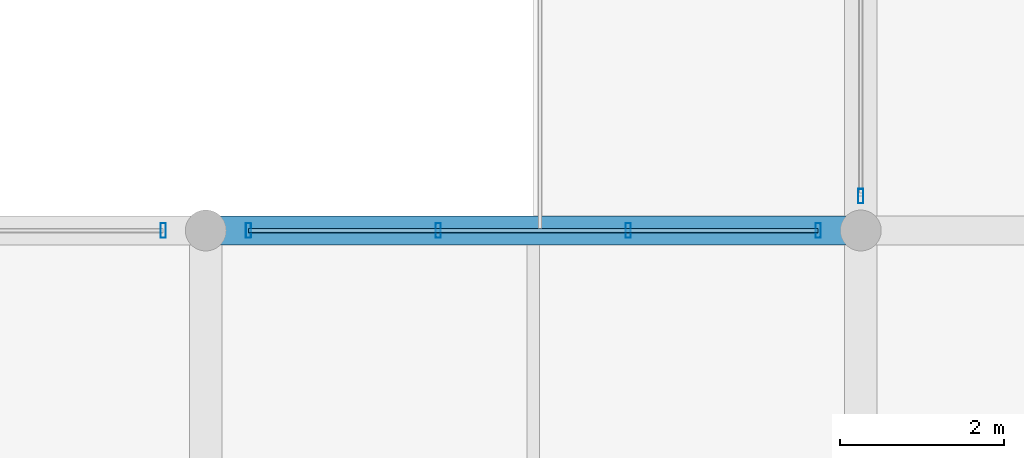
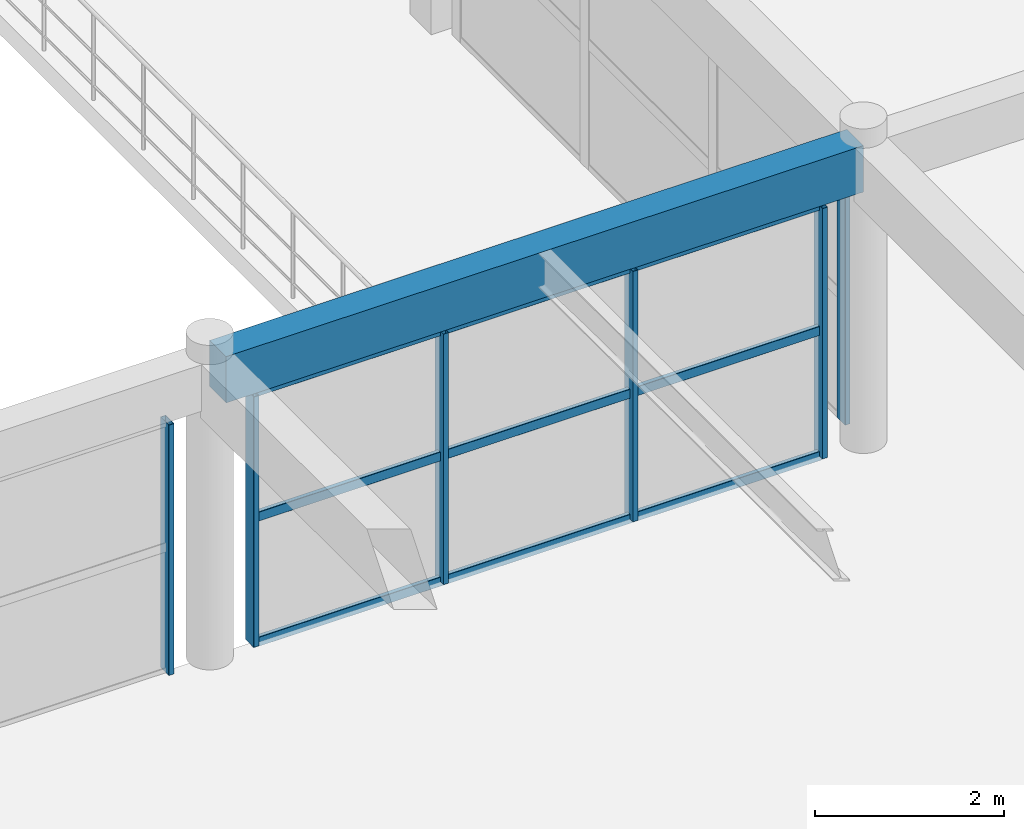
# One storey, part 50 of 126: 9 members, 1 beam, 3 elements without a shape of their own.
"""IFC4 building model written with IfcOpenShell, lengths in metres."""

from ifc_helpers import new_model, si_unit, direction, frame, origin, origin_2d, place, context, subcontext, project, spatial, rectangle, hollow_rectangle, extrude, material, material_profile, profile_set, type_object, element, aggregate, save


model = new_model("IFC4")

# Units and contexts
model_context = context("Model", 3, precision=1e-05, world=origin(), true_north=direction((0.0, 1.0)))
body_context = subcontext(model_context, "Body", "Model", "MODEL_VIEW")
ifc_project = project(units=[si_unit("LENGTHUNIT", "METRE"), si_unit("AREAUNIT", "SQUARE_METRE"), si_unit("VOLUMEUNIT", "CUBIC_METRE"), si_unit("PLANEANGLEUNIT", "RADIAN"), si_unit("MASSUNIT", "GRAM", prefix="KILO")], contexts=[model_context])

# Site, building, storey
site_placement = place(None, origin())
site = spatial("IfcSite", under=ifc_project, at=site_placement, CompositionType="ELEMENT")
building_placement = place(site_placement, origin())
building = spatial("IfcBuilding", under=site, at=building_placement, Name="Varnabhumi Central Station", CompositionType="ELEMENT")
storey_placement = place(building_placement, frame((0.0, 0.0, 16.199951171875)))
storey = spatial("IfcBuildingStorey", under=building, at=storey_placement, Name="L03", CompositionType="ELEMENT", Elevation=16.199951171875)

# Beam
ifc_material_1 = material(Name="Concrete M40", Category="concrete")
ifc_material_profile_1 = material_profile(ifc_material_1, rectangle(XDim=0.35009765625, YDim=0.60009765625, at=origin_2d()), Name="Concrete M40", Category="concrete")
ifc_profile_set_1 = profile_set([ifc_material_profile_1], Name="Concrete M40")
beam_type = type_object("IfcBeamType", Name="BM-RC-350x600", PredefinedType="BEAM", material=ifc_profile_set_1)
beam_placement = place(storey_placement, frame((72.10009765625, 89.0, 3.650146484375), z_axis=(1.0, 0.0, 0.0), x_axis=(0.0, 1.0, 0.0)))
element("IfcBeam", 1, at=beam_placement, inside=storey, type_object=beam_type, Name="Beam L03-L:10-11", PredefinedType="BEAM", context=body_context, shape_type="SweptSolid", body=[
    extrude(rectangle(XDim=0.35009765625, YDim=0.60009765625, at=origin_2d()), origin(), (0.0, 0.0, 1.0), 7.7998046875),
])

# Curtain wall, member
ifc_material_2 = material(Name="Anodised aluminium 6063-T6", Category="aluminium")
curtain_wall_type = type_object("IfcCurtainWallType", Name="CW-PATIO-LOGGIA-L3", PredefinedType="NOTDEFINED", material=ifc_material_2)
curtain_wall_1_placement = place(storey_placement, origin())
curtain_wall_1 = element("IfcCurtainWall", 2, at=curtain_wall_1_placement, inside=storey, type_object=curtain_wall_type, Name="Curtain Wall CW-NP3W1", PredefinedType="NOTDEFINED")
ifc_material_profile_2 = material_profile(ifc_material_2, hollow_rectangle(XDim=0.06494140625, YDim=0.179931640625, WallThickness=0.00390625, InnerFilletRadius=0.001953125, OuterFilletRadius=0.006103515625, at=origin_2d()), Name="Anodised aluminium 6063-T6", Category="aluminium")
ifc_profile_set_2 = profile_set([ifc_material_profile_2], Name="Anodised aluminium 6063-T6")
member_type_1 = type_object("IfcMemberType", Name="CW-MUL-180", PredefinedType="MULLION", material=ifc_profile_set_2)
member_1_placement = place(storey_placement, frame((80.0, 89.419921875, 0.0), z_axis=(0.0, 0.0, 1.0), x_axis=(1.0, 0.0, 0.0)))
member_1 = element("IfcMember", 3, at=member_1_placement, type_object=member_type_1, Name="Curtain Wall Mullion CW-NP3W1-M1", PredefinedType="MULLION", context=body_context, shape_type="SweptSolid", body=[
    extrude(hollow_rectangle(XDim=0.06494140625, YDim=0.179931640625, WallThickness=0.00390625, InnerFilletRadius=0.001953125, OuterFilletRadius=0.006103515625, at=origin_2d()), origin(), (0.0, 0.0, 1.0), 3.239990234375),
])
aggregate(curtain_wall_1, [member_1])

curtain_wall_2_placement = place(storey_placement, origin())
curtain_wall_2 = element("IfcCurtainWall", 4, at=curtain_wall_2_placement, inside=storey, type_object=curtain_wall_type, Name="Curtain Wall CW-NP3S3", PredefinedType="NOTDEFINED")
member_2_placement = place(storey_placement, frame((71.47998046875, 89.0, 0.0), z_axis=(0.0, 0.0, 1.0), x_axis=(1.0, 0.0, 0.0)))
member_2 = element("IfcMember", 5, at=member_2_placement, type_object=member_type_1, Name="Curtain Wall Mullion CW-NP3S3-M4", PredefinedType="MULLION", context=body_context, shape_type="SweptSolid", body=[
    extrude(hollow_rectangle(XDim=0.06494140625, YDim=0.179931640625, WallThickness=0.00390625, InnerFilletRadius=0.001953125, OuterFilletRadius=0.006103515625, at=origin_2d()), origin(), (0.0, 0.0, 1.0), 3.239990234375),
])
aggregate(curtain_wall_2, [member_2])

# Curtain wall, members
curtain_wall_3_placement = place(storey_placement, origin())
curtain_wall_3 = element("IfcCurtainWall", 6, at=curtain_wall_3_placement, inside=storey, type_object=curtain_wall_type, Name="Curtain Wall CW-NP3S4", PredefinedType="NOTDEFINED")
member_3_placement = place(storey_placement, frame((72.52001953125, 89.0, 0.0), z_axis=(0.0, 0.0, 1.0), x_axis=(1.0, 0.0, 0.0)))
member_3 = element("IfcMember", 7, at=member_3_placement, type_object=member_type_1, Name="Curtain Wall Mullion CW-NP3S4-M1", PredefinedType="MULLION", context=body_context, shape_type="SweptSolid", body=[
    extrude(hollow_rectangle(XDim=0.06494140625, YDim=0.179931640625, WallThickness=0.00390625, InnerFilletRadius=0.001953125, OuterFilletRadius=0.006103515625, at=origin_2d()), origin(), (0.0, 0.0, 1.0), 3.239990234375),
])
member_4_placement = place(storey_placement, frame((74.840087890625, 89.0, 0.0), z_axis=(0.0, 0.0, 1.0), x_axis=(1.0, 0.0, 0.0)))
member_4 = element("IfcMember", 8, at=member_4_placement, type_object=member_type_1, Name="Curtain Wall Mullion CW-NP3S4-M2", PredefinedType="MULLION", context=body_context, shape_type="SweptSolid", body=[
    extrude(hollow_rectangle(XDim=0.06494140625, YDim=0.179931640625, WallThickness=0.00390625, InnerFilletRadius=0.001953125, OuterFilletRadius=0.006103515625, at=origin_2d()), origin(), (0.0, 0.0, 1.0), 3.239990234375),
])
member_5_placement = place(storey_placement, frame((77.159912109375, 89.0, 0.0), z_axis=(0.0, 0.0, 1.0), x_axis=(1.0, 0.0, 0.0)))
member_5 = element("IfcMember", 9, at=member_5_placement, type_object=member_type_1, Name="Curtain Wall Mullion CW-NP3S4-M3", PredefinedType="MULLION", context=body_context, shape_type="SweptSolid", body=[
    extrude(hollow_rectangle(XDim=0.06494140625, YDim=0.179931640625, WallThickness=0.00390625, InnerFilletRadius=0.001953125, OuterFilletRadius=0.006103515625, at=origin_2d()), origin(), (0.0, 0.0, 1.0), 3.239990234375),
])
member_6_placement = place(storey_placement, frame((79.47998046875, 89.0, 0.0), z_axis=(0.0, 0.0, 1.0), x_axis=(1.0, 0.0, 0.0)))
member_6 = element("IfcMember", 10, at=member_6_placement, type_object=member_type_1, Name="Curtain Wall Mullion CW-NP3S4-M4", PredefinedType="MULLION", context=body_context, shape_type="SweptSolid", body=[
    extrude(hollow_rectangle(XDim=0.06494140625, YDim=0.179931640625, WallThickness=0.00390625, InnerFilletRadius=0.001953125, OuterFilletRadius=0.006103515625, at=origin_2d()), origin(), (0.0, 0.0, 1.0), 3.239990234375),
])
ifc_material_profile_3 = material_profile(ifc_material_2, hollow_rectangle(XDim=0.054931640625, YDim=0.1201171875, WallThickness=0.00341796875, InnerFilletRadius=0.00146484375, OuterFilletRadius=0.0048828125, at=origin_2d()), Name="Anodised aluminium 6063-T6", Category="aluminium")
ifc_profile_set_3 = profile_set([ifc_material_profile_3], Name="Anodised aluminium 6063-T6")
member_type_2 = type_object("IfcMemberType", Name="CW-TR-120", PredefinedType="USERDEFINED", material=ifc_profile_set_3)
member_7_placement = place(storey_placement, frame((72.52001953125, 89.0, 0.0), z_axis=(1.0, 0.0, 0.0), x_axis=(0.0, 1.0, 0.0)))
member_7 = element("IfcMember", 11, at=member_7_placement, type_object=member_type_2, Name="Curtain Wall Transom CW-NP3S4-T1", ObjectType="TRANSOM", PredefinedType="USERDEFINED", context=body_context, shape_type="SweptSolid", body=[
    extrude(hollow_rectangle(XDim=0.054931640625, YDim=0.1201171875, WallThickness=0.00341796875, InnerFilletRadius=0.00146484375, OuterFilletRadius=0.0048828125, at=origin_2d()), origin(), (0.0, 0.0, 1.0), 6.9599609375),
])
member_8_placement = place(storey_placement, frame((72.52001953125, 89.0, 1.6201171875), z_axis=(1.0, 0.0, 0.0), x_axis=(0.0, 1.0, 0.0)))
member_8 = element("IfcMember", 12, at=member_8_placement, type_object=member_type_2, Name="Curtain Wall Transom CW-NP3S4-T2", ObjectType="TRANSOM", PredefinedType="USERDEFINED", context=body_context, shape_type="SweptSolid", body=[
    extrude(hollow_rectangle(XDim=0.054931640625, YDim=0.1201171875, WallThickness=0.00341796875, InnerFilletRadius=0.00146484375, OuterFilletRadius=0.0048828125, at=origin_2d()), origin(), (0.0, 0.0, 1.0), 6.9599609375),
])
member_9_placement = place(storey_placement, frame((72.52001953125, 89.0, 3.239990234375), z_axis=(1.0, 0.0, 0.0), x_axis=(0.0, 1.0, 0.0)))
member_9 = element("IfcMember", 13, at=member_9_placement, type_object=member_type_2, Name="Curtain Wall Transom CW-NP3S4-T3", ObjectType="TRANSOM", PredefinedType="USERDEFINED", context=body_context, shape_type="SweptSolid", body=[
    extrude(hollow_rectangle(XDim=0.054931640625, YDim=0.1201171875, WallThickness=0.00341796875, InnerFilletRadius=0.00146484375, OuterFilletRadius=0.0048828125, at=origin_2d()), origin(), (0.0, 0.0, 1.0), 6.9599609375),
])
aggregate(curtain_wall_3, [member_3, member_4, member_5, member_6, member_7, member_8, member_9])

save(model, "model.ifc")
